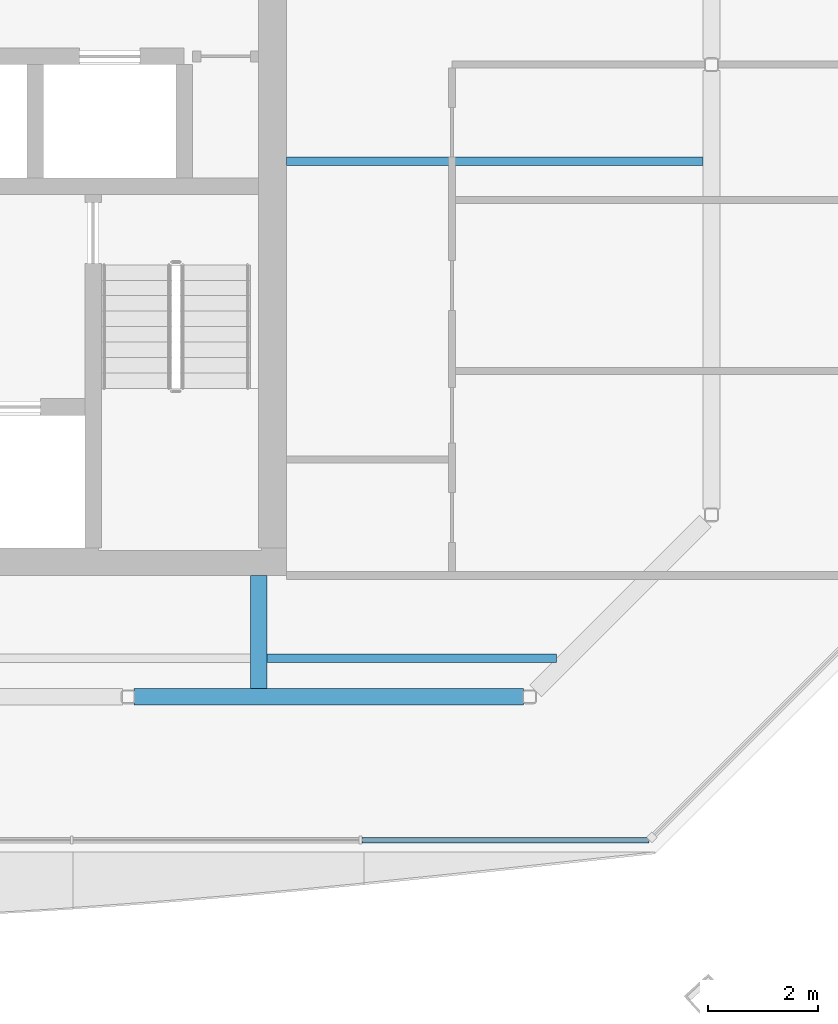
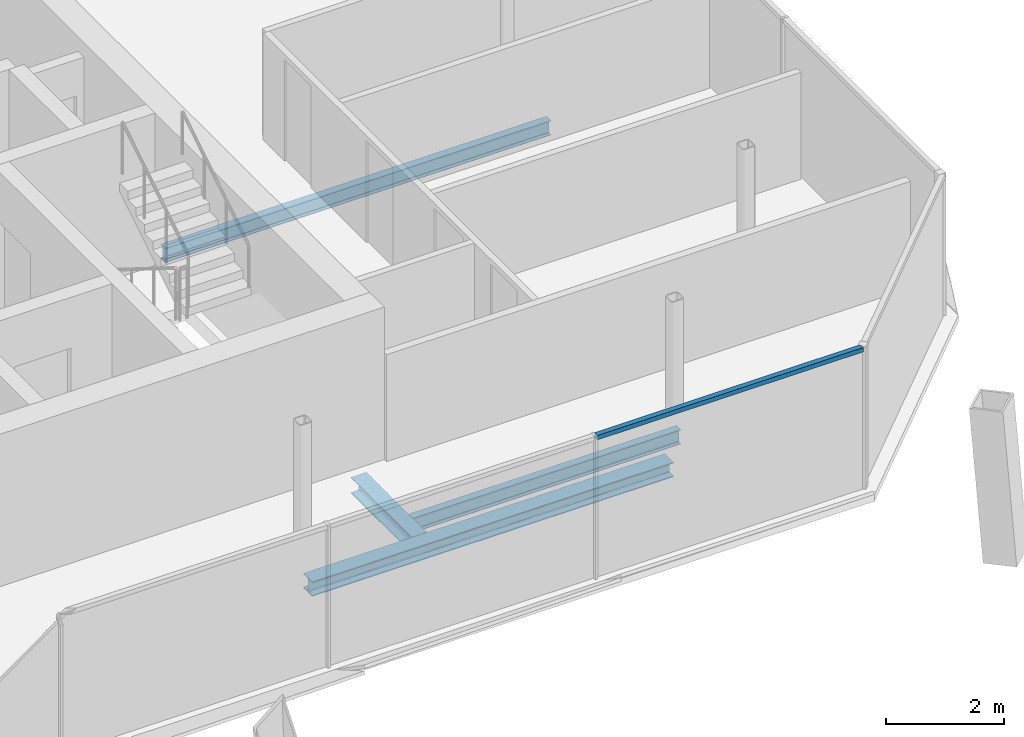
# One storey, part 4 of 16: 4 beams, 1 member, 1 element without a shape of its own.
"""IFC4 building model written with IfcOpenShell, lengths in metres."""

from ifc_helpers import new_model, si_unit, direction, frame, origin, origin_2d, place, context, subcontext, project, spatial, rectangle, i_section, extrude, material, material_profile, profile_set, type_object, element, aggregate, save


model = new_model("IFC4")

# Units and contexts
model_context = context("Model", 3, precision=1e-05, world=origin(), true_north=direction((0.0, 1.0)))
body_context = subcontext(model_context, "Body", "Model", "MODEL_VIEW")
ifc_project = project(units=[si_unit("LENGTHUNIT", "METRE"), si_unit("AREAUNIT", "SQUARE_METRE"), si_unit("VOLUMEUNIT", "CUBIC_METRE"), si_unit("PLANEANGLEUNIT", "RADIAN"), si_unit("MASSUNIT", "GRAM", prefix="KILO")], contexts=[model_context])

# Site, building, storey
site_placement = place(None, origin())
site = spatial("IfcSite", under=ifc_project, at=site_placement, CompositionType="ELEMENT")
building_placement = place(site_placement, origin())
building = spatial("IfcBuilding", under=site, at=building_placement, Name="Tskaro Facet Tower", CompositionType="ELEMENT")
storey_placement = place(building_placement, frame((0.0, 0.0, 262.64990234375)))
storey = spatial("IfcBuildingStorey", under=building, at=storey_placement, Name="L69", CompositionType="ELEMENT", Elevation=262.64990234375)

# Curtain wall, member
ifc_material_1 = material(Name="Bronze anodised aluminium 6063-T6", Category="aluminium")
curtain_wall_type = type_object("IfcCurtainWallType", Name="Bronze residence curtain wall (FW3)", PredefinedType="NOTDEFINED", material=ifc_material_1)
curtain_wall_placement = place(storey_placement, origin())
curtain_wall = element("IfcCurtainWall", 1, at=curtain_wall_placement, inside=storey, type_object=curtain_wall_type, Name="FW3 south facet L69", PredefinedType="NOTDEFINED")
ifc_material_profile_1 = material_profile(ifc_material_1, rectangle(XDim=0.10009765625, YDim=0.090087890625, at=origin_2d()), Name="Transom 100x90")
ifc_profile_set_1 = profile_set([ifc_material_profile_1], Name="Bronze anodised aluminium 6063-T6")
member_type = type_object("IfcMemberType", Name="FW3 bronze transom 100x90", PredefinedType="USERDEFINED", material=ifc_profile_set_1)
member_placement = place(storey_placement, frame((10.866943359375, -16.79296875, 2.905029296875), z_axis=(1.0, 0.0, 0.0), x_axis=(0.0, 1.0, 0.0)))
member = element("IfcMember", 2, at=member_placement, type_object=member_type, Name="FW3 south transom 5.1", ObjectType="TRANSOM", PredefinedType="USERDEFINED", context=body_context, shape_type="SweptSolid", body=[
    extrude(rectangle(XDim=0.10009765625, YDim=0.090087890625, at=origin_2d()), origin(), (0.0, 0.0, 1.0), 5.203125),
])
aggregate(curtain_wall, [member])

# Beams
ifc_material_2 = material(Name="Steel S355J2", Category="steel")
ifc_material_profile_2 = material_profile(ifc_material_2, i_section(OverallWidth=0.300048828125, OverallDepth=0.300048828125, WebThickness=0.010986328125, FlangeThickness=0.01904296875, FilletRadius=0.027099609375, at=origin_2d()), Name="HE 300 B")
ifc_profile_set_2 = profile_set([ifc_material_profile_2], Name="Steel S355J2")
beam_type_1 = type_object("IfcBeamType", Name="HE 300 B ring beam", PredefinedType="BEAM", material=ifc_profile_set_2)
beam_1_placement = place(storey_placement, frame((6.739013671875, -14.199951171875, -0.289794921875), z_axis=(1.0, 0.0, 0.0), x_axis=(0.0, 1.0, 0.0)))
element("IfcBeam", 3, at=beam_1_placement, inside=storey, type_object=beam_type_1, Name="HE 300 B EB3-6", PredefinedType="BEAM", context=body_context, shape_type="SweptSolid", body=[
    extrude(i_section(OverallWidth=0.300048828125, OverallDepth=0.300048828125, WebThickness=0.010986328125, FlangeThickness=0.01904296875, FilletRadius=0.027099609375, at=origin_2d()), origin(), (0.0, 0.0, 1.0), 7.05908203125),
])
ifc_material_profile_3 = material_profile(ifc_material_2, i_section(OverallWidth=0.300048828125, OverallDepth=0.330078125, WebThickness=0.009521484375, FlangeThickness=0.0166015625, FilletRadius=0.027099609375, at=origin_2d()), Name="HE 340 A")
ifc_profile_set_3 = profile_set([ifc_material_profile_3], Name="Steel S355J2")
beam_type_2 = type_object("IfcBeamType", Name="HE 340 A girder", PredefinedType="BEAM", material=ifc_profile_set_3)
beam_2_placement = place(storey_placement, frame((9.0, -14.050048828125, -0.304931640625), z_axis=(0.0, 1.0, 0.0), x_axis=(-1.0, 0.0, 0.0)))
element("IfcBeam", 4, at=beam_2_placement, inside=storey, type_object=beam_type_2, Name="HE 340 A GB5-1-6", PredefinedType="BEAM", context=body_context, shape_type="SweptSolid", body=[
    extrude(i_section(OverallWidth=0.300048828125, OverallDepth=0.330078125, WebThickness=0.009521484375, FlangeThickness=0.0166015625, FilletRadius=0.027099609375, at=origin_2d()), origin(), (0.0, 0.0, 1.0), 2.050048828125),
])
ifc_material_profile_4 = material_profile(ifc_material_2, i_section(OverallWidth=0.14990234375, OverallDepth=0.300048828125, WebThickness=0.007080078125, FlangeThickness=0.0107421875, FilletRadius=0.014892578125, at=origin_2d()), Name="IPE 300")
ifc_profile_set_4 = profile_set([ifc_material_profile_4], Name="Steel S355J2")
beam_type_3 = type_object("IfcBeamType", Name="IPE 300 secondary beam", PredefinedType="BEAM", material=ifc_profile_set_4)
beam_3_placement = place(storey_placement, frame((9.14990234375, -13.5, -0.289794921875), z_axis=(1.0, 0.0, 0.0), x_axis=(0.0, 1.0, 0.0)))
element("IfcBeam", 5, at=beam_3_placement, inside=storey, type_object=beam_type_3, Name="IPE 300 SB2a-3-6", PredefinedType="BEAM", context=body_context, shape_type="SweptSolid", body=[
    extrude(i_section(OverallWidth=0.14990234375, OverallDepth=0.300048828125, WebThickness=0.007080078125, FlangeThickness=0.0107421875, FilletRadius=0.014892578125, at=origin_2d()), origin(), (0.0, 0.0, 1.0), 5.2412109375),
])
beam_4_placement = place(storey_placement, frame((9.5, -4.5, -0.289794921875), z_axis=(1.0, 0.0, 0.0), x_axis=(0.0, 1.0, 0.0)))
element("IfcBeam", 6, at=beam_4_placement, inside=storey, type_object=beam_type_3, Name="IPE 300 SB3a-2-6", PredefinedType="BEAM", context=body_context, shape_type="SweptSolid", body=[
    extrude(i_section(OverallWidth=0.14990234375, OverallDepth=0.300048828125, WebThickness=0.007080078125, FlangeThickness=0.0107421875, FilletRadius=0.014892578125, at=origin_2d()), origin(), (0.0, 0.0, 1.0), 7.550048828125),
])

save(model, "model.ifc")
